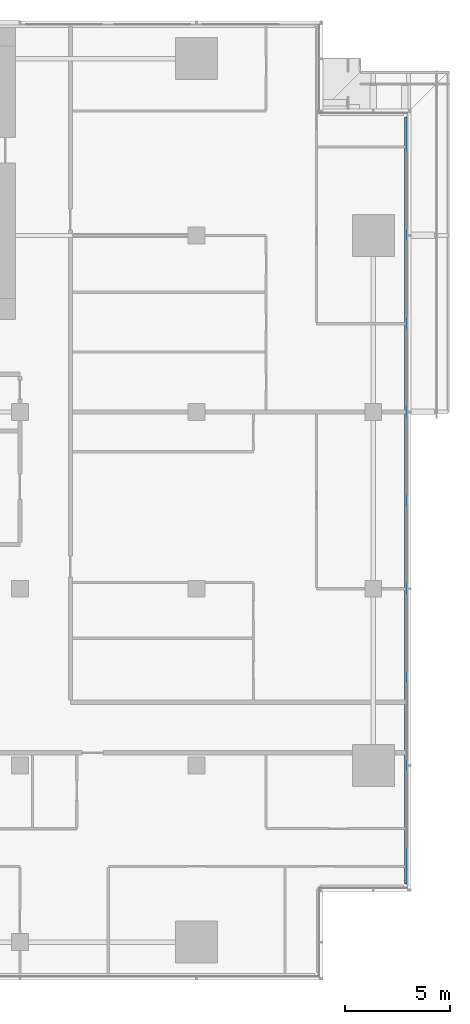
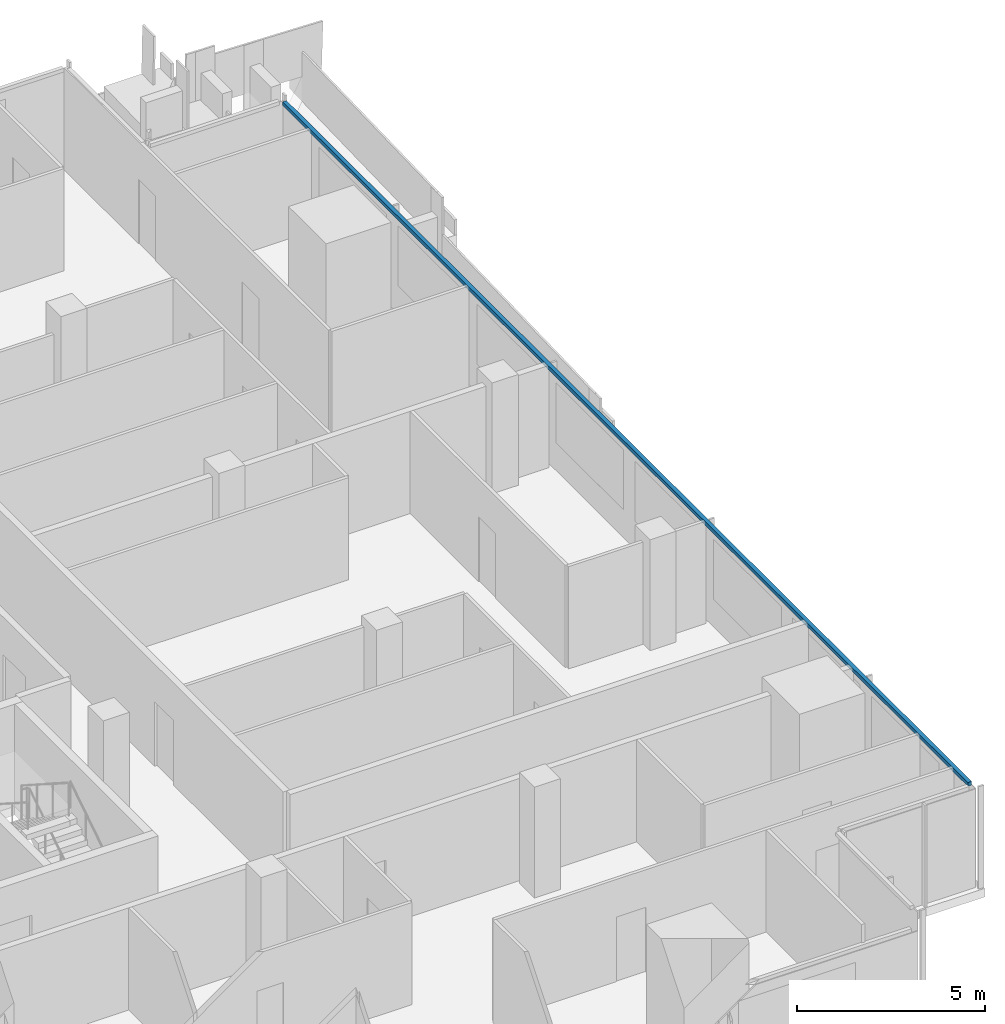
# One storey, part 12 of 27: 1 member, 1 element without a shape of its own.
"""IFC4 building model written with IfcOpenShell, lengths in metres."""

from ifc_helpers import new_model, si_unit, direction, frame, origin, origin_2d, place, context, subcontext, project, spatial, rectangle, extrude, material, material_profile, profile_set, type_object, element, aggregate, save


model = new_model("IFC4")

# Units and contexts
model_context = context("Model", 3, precision=1e-05, world=origin(), true_north=direction((0.0, 1.0)))
body_context = subcontext(model_context, "Body", "Model", "MODEL_VIEW")
ifc_project = project(units=[si_unit("LENGTHUNIT", "METRE"), si_unit("AREAUNIT", "SQUARE_METRE"), si_unit("VOLUMEUNIT", "CUBIC_METRE"), si_unit("PLANEANGLEUNIT", "RADIAN"), si_unit("MASSUNIT", "GRAM", prefix="KILO")], contexts=[model_context])

# Site, building, storey
site_placement = place(None, origin())
site = spatial("IfcSite", under=ifc_project, at=site_placement, CompositionType="ELEMENT")
building_placement = place(site_placement, origin())
building = spatial("IfcBuilding", under=site, at=building_placement, Name="Saffron Gate Tower", CompositionType="ELEMENT")
storey_placement = place(building_placement, frame((0.0, 0.0, 134.85009765625)))
storey = spatial("IfcBuildingStorey", under=building, at=storey_placement, Name="L32", CompositionType="ELEMENT", Elevation=134.85009765625)

# Curtain wall, member
ifc_material = material(Name="Aluminium, bronze anodised", Category="aluminium")
curtain_wall_type = type_object("IfcCurtainWallType", Name="CWS2 curtain wall side facades", PredefinedType="NOTDEFINED", material=ifc_material)
curtain_wall_placement = place(storey_placement, origin())
curtain_wall = element("IfcCurtainWall", 1, at=curtain_wall_placement, inside=storey, type_object=curtain_wall_type, Name="CWS2 run 4", PredefinedType="NOTDEFINED")
ifc_material_profile = material_profile(ifc_material, rectangle(XDim=0.1201171875, YDim=0.1201171875, at=origin_2d()))
ifc_profile_set = profile_set([ifc_material_profile], Name="Aluminium, bronze anodised")
member_type = type_object("IfcMemberType", Name="CWS2 head transom", PredefinedType="USERDEFINED", material=ifc_profile_set)
member_placement = place(storey_placement, frame((126.951904296875, 34.568115234375, 3.260009765625), z_axis=(0.0, 1.0, 0.0), x_axis=(-1.0, 0.0, 0.0)))
member = element("IfcMember", 2, at=member_placement, type_object=member_type, Name="CWS2 head transom", ObjectType="TRANSOM", PredefinedType="USERDEFINED", context=body_context, shape_type="SweptSolid", body=[
    extrude(rectangle(XDim=0.1201171875, YDim=0.1201171875, at=origin_2d()), origin(), (0.0, 0.0, 1.0), 36.4638671875),
])
aggregate(curtain_wall, [member])

save(model, "model.ifc")
